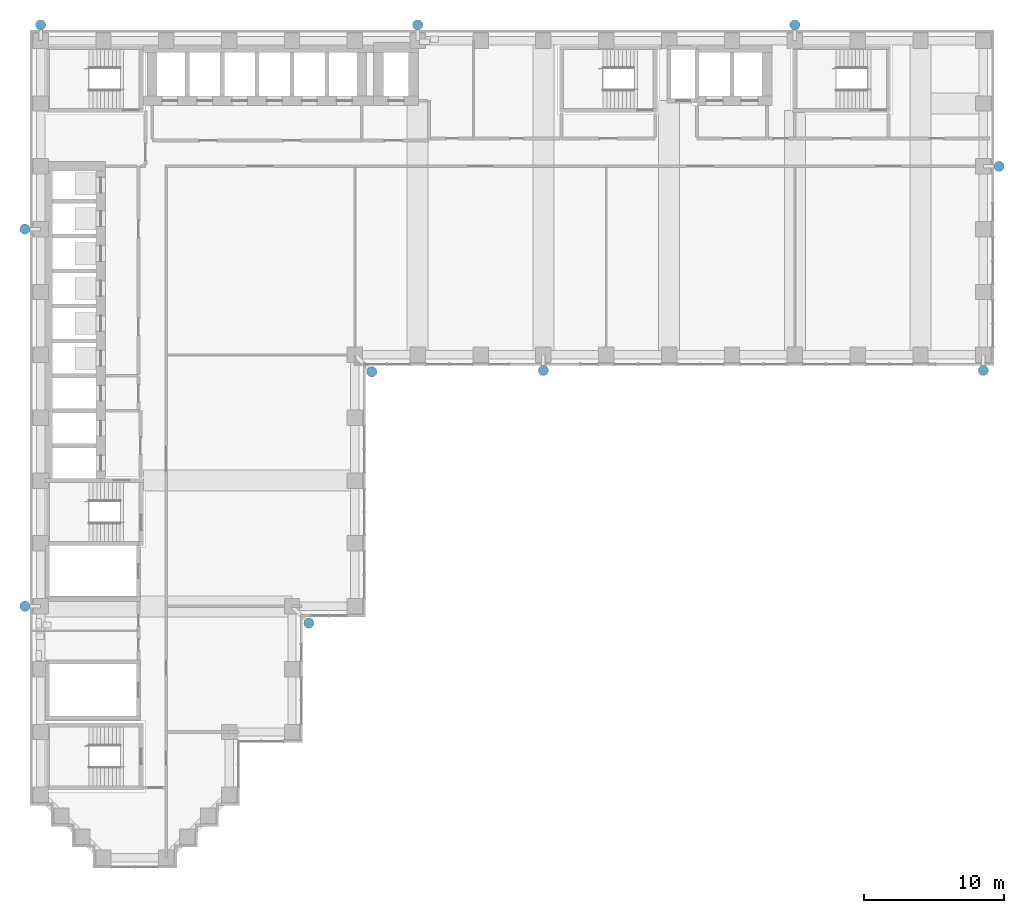
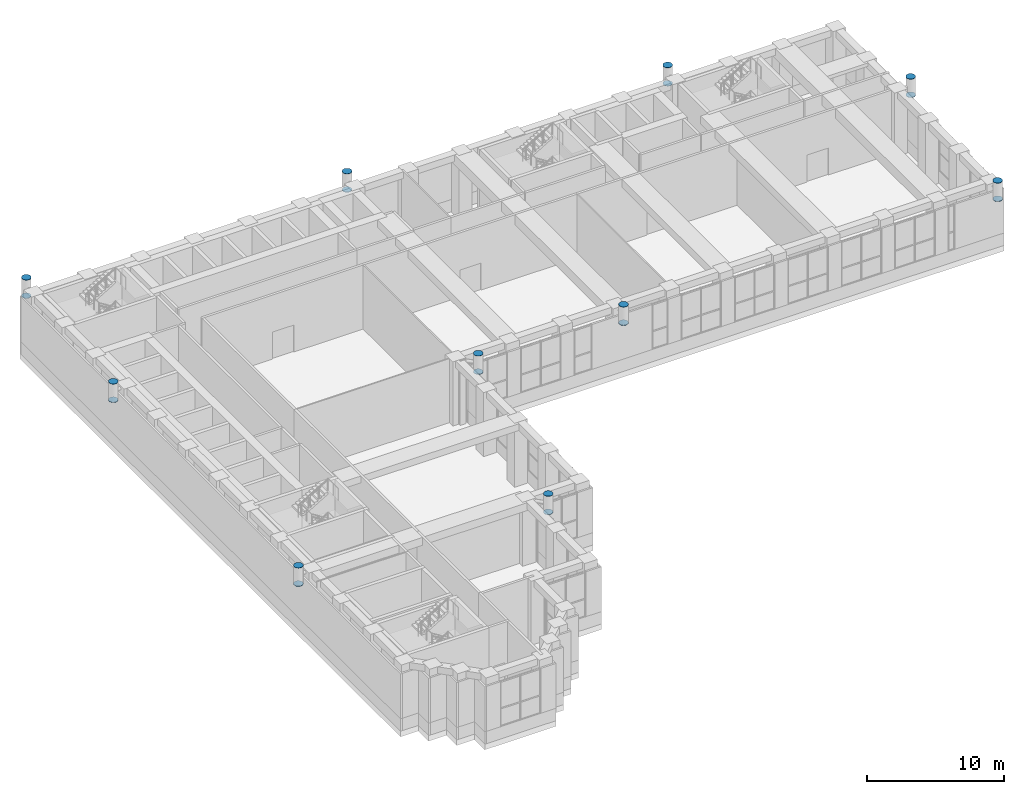
# One storey, part 18 of 22: 20 discrete accessories.
"""IFC4 building model written with IfcOpenShell, lengths in metres."""

from ifc_helpers import new_model, si_unit, direction, frame, origin, origin_2d, place, context, subcontext, project, spatial, circle, extrude, material, material_profile, profile_set, type_object, element, save


model = new_model("IFC4")

# Units and contexts
model_context = context("Model", 3, precision=1e-05, world=origin(), true_north=direction((0.0, 1.0)))
body_context = subcontext(model_context, "Body", "Model", "MODEL_VIEW")
ifc_project = project(units=[si_unit("LENGTHUNIT", "METRE"), si_unit("AREAUNIT", "SQUARE_METRE"), si_unit("VOLUMEUNIT", "CUBIC_METRE"), si_unit("PLANEANGLEUNIT", "RADIAN"), si_unit("MASSUNIT", "GRAM", prefix="KILO")], contexts=[model_context])

# Site, building, storey
site_placement = place(None, origin())
site = spatial("IfcSite", under=ifc_project, at=site_placement, CompositionType="ELEMENT")
building_placement = place(site_placement, origin())
building = spatial("IfcBuilding", under=site, at=building_placement, Name="Firuza Court", CompositionType="ELEMENT")
storey_placement = place(building_placement, frame((0.0, 0.0, 113.60009765625)))
storey = spatial("IfcBuildingStorey", under=building, at=storey_placement, Name="L28", CompositionType="ELEMENT", Elevation=113.60009765625)

# Discrete accessories
ifc_material = material(Name="Steel S355", Category="steel")
ifc_material_profile = material_profile(ifc_material, circle(Radius=0.35546875, at=origin_2d()), Name="PL D711")
ifc_profile_set = profile_set([ifc_material_profile], Name="Steel S355")
discrete_accessory_type = type_object("IfcDiscreteAccessoryType", Name="DIAGRID NODE END PLATE", PredefinedType="NOTDEFINED", material=ifc_profile_set)
discrete_accessory_1_placement = place(storey_placement, frame((-1.1201171875, 18.0, 6.25), z_axis=(0.0, 0.0, 1.0), x_axis=(1.0, 0.0, 0.0)))
element("IfcDiscreteAccessory", 1, at=discrete_accessory_1_placement, inside=storey, type_object=discrete_accessory_type, Name="Diagrid node end plate level L28", PredefinedType="NOTDEFINED", context=body_context, shape_type="SweptSolid", body=[
    extrude(circle(Radius=0.35546875, at=origin_2d()), origin(), (0.0, 0.0, 1.0), 0.02978515625),
])
discrete_accessory_2_placement = place(storey_placement, frame((-1.1201171875, 18.0, 4.619873046875), z_axis=(0.0, 0.0, 1.0), x_axis=(1.0, 0.0, 0.0)))
element("IfcDiscreteAccessory", 2, at=discrete_accessory_2_placement, inside=storey, type_object=discrete_accessory_type, Name="Diagrid node end plate level L28", PredefinedType="NOTDEFINED", context=body_context, shape_type="SweptSolid", body=[
    extrude(circle(Radius=0.35546875, at=origin_2d()), origin(), (0.0, 0.0, 1.0), 0.030029296875),
])
discrete_accessory_3_placement = place(storey_placement, frame((-1.1201171875, 45.0, 6.25), z_axis=(0.0, 0.0, 1.0), x_axis=(1.0, 0.0, 0.0)))
element("IfcDiscreteAccessory", 3, at=discrete_accessory_3_placement, inside=storey, type_object=discrete_accessory_type, Name="Diagrid node end plate level L28", PredefinedType="NOTDEFINED", context=body_context, shape_type="SweptSolid", body=[
    extrude(circle(Radius=0.35546875, at=origin_2d()), origin(), (0.0, 0.0, 1.0), 0.02978515625),
])
discrete_accessory_4_placement = place(storey_placement, frame((-1.1201171875, 45.0, 4.619873046875), z_axis=(0.0, 0.0, 1.0), x_axis=(1.0, 0.0, 0.0)))
element("IfcDiscreteAccessory", 4, at=discrete_accessory_4_placement, inside=storey, type_object=discrete_accessory_type, Name="Diagrid node end plate level L28", PredefinedType="NOTDEFINED", context=body_context, shape_type="SweptSolid", body=[
    extrude(circle(Radius=0.35546875, at=origin_2d()), origin(), (0.0, 0.0, 1.0), 0.030029296875),
])
discrete_accessory_5_placement = place(storey_placement, frame((0.0, 59.6201171875, 6.25), z_axis=(0.0, 0.0, 1.0), x_axis=(1.0, 0.0, 0.0)))
element("IfcDiscreteAccessory", 5, at=discrete_accessory_5_placement, inside=storey, type_object=discrete_accessory_type, Name="Diagrid node end plate level L28", PredefinedType="NOTDEFINED", context=body_context, shape_type="SweptSolid", body=[
    extrude(circle(Radius=0.35546875, at=origin_2d()), origin(), (0.0, 0.0, 1.0), 0.02978515625),
])
discrete_accessory_6_placement = place(storey_placement, frame((0.0, 59.6201171875, 4.619873046875), z_axis=(0.0, 0.0, 1.0), x_axis=(1.0, 0.0, 0.0)))
element("IfcDiscreteAccessory", 6, at=discrete_accessory_6_placement, inside=storey, type_object=discrete_accessory_type, Name="Diagrid node end plate level L28", PredefinedType="NOTDEFINED", context=body_context, shape_type="SweptSolid", body=[
    extrude(circle(Radius=0.35546875, at=origin_2d()), origin(), (0.0, 0.0, 1.0), 0.030029296875),
])
discrete_accessory_7_placement = place(storey_placement, frame((19.2099609375, 16.7900390625, 6.25), z_axis=(0.0, 0.0, 1.0), x_axis=(1.0, 0.0, 0.0)))
element("IfcDiscreteAccessory", 7, at=discrete_accessory_7_placement, inside=storey, type_object=discrete_accessory_type, Name="Diagrid node end plate level L28", PredefinedType="NOTDEFINED", context=body_context, shape_type="SweptSolid", body=[
    extrude(circle(Radius=0.35546875, at=origin_2d()), origin(), (0.0, 0.0, 1.0), 0.02978515625),
])
discrete_accessory_8_placement = place(storey_placement, frame((19.2099609375, 16.7900390625, 4.619873046875), z_axis=(0.0, 0.0, 1.0), x_axis=(1.0, 0.0, 0.0)))
element("IfcDiscreteAccessory", 8, at=discrete_accessory_8_placement, inside=storey, type_object=discrete_accessory_type, Name="Diagrid node end plate level L28", PredefinedType="NOTDEFINED", context=body_context, shape_type="SweptSolid", body=[
    extrude(circle(Radius=0.35546875, at=origin_2d()), origin(), (0.0, 0.0, 1.0), 0.030029296875),
])
discrete_accessory_9_placement = place(storey_placement, frame((23.7099609375, 34.7900390625, 6.25), z_axis=(0.0, 0.0, 1.0), x_axis=(1.0, 0.0, 0.0)))
element("IfcDiscreteAccessory", 9, at=discrete_accessory_9_placement, inside=storey, type_object=discrete_accessory_type, Name="Diagrid node end plate level L28", PredefinedType="NOTDEFINED", context=body_context, shape_type="SweptSolid", body=[
    extrude(circle(Radius=0.35546875, at=origin_2d()), origin(), (0.0, 0.0, 1.0), 0.02978515625),
])
discrete_accessory_10_placement = place(storey_placement, frame((23.7099609375, 34.7900390625, 4.619873046875), z_axis=(0.0, 0.0, 1.0), x_axis=(1.0, 0.0, 0.0)))
element("IfcDiscreteAccessory", 10, at=discrete_accessory_10_placement, inside=storey, type_object=discrete_accessory_type, Name="Diagrid node end plate level L28", PredefinedType="NOTDEFINED", context=body_context, shape_type="SweptSolid", body=[
    extrude(circle(Radius=0.35546875, at=origin_2d()), origin(), (0.0, 0.0, 1.0), 0.030029296875),
])
discrete_accessory_11_placement = place(storey_placement, frame((27.0, 59.6201171875, 6.25), z_axis=(0.0, 0.0, 1.0), x_axis=(1.0, 0.0, 0.0)))
element("IfcDiscreteAccessory", 11, at=discrete_accessory_11_placement, inside=storey, type_object=discrete_accessory_type, Name="Diagrid node end plate level L28", PredefinedType="NOTDEFINED", context=body_context, shape_type="SweptSolid", body=[
    extrude(circle(Radius=0.35546875, at=origin_2d()), origin(), (0.0, 0.0, 1.0), 0.02978515625),
])
discrete_accessory_12_placement = place(storey_placement, frame((27.0, 59.6201171875, 4.619873046875), z_axis=(0.0, 0.0, 1.0), x_axis=(1.0, 0.0, 0.0)))
element("IfcDiscreteAccessory", 12, at=discrete_accessory_12_placement, inside=storey, type_object=discrete_accessory_type, Name="Diagrid node end plate level L28", PredefinedType="NOTDEFINED", context=body_context, shape_type="SweptSolid", body=[
    extrude(circle(Radius=0.35546875, at=origin_2d()), origin(), (0.0, 0.0, 1.0), 0.030029296875),
])
discrete_accessory_13_placement = place(storey_placement, frame((36.0, 34.8798828125, 6.25), z_axis=(0.0, 0.0, 1.0), x_axis=(1.0, 0.0, 0.0)))
element("IfcDiscreteAccessory", 13, at=discrete_accessory_13_placement, inside=storey, type_object=discrete_accessory_type, Name="Diagrid node end plate level L28", PredefinedType="NOTDEFINED", context=body_context, shape_type="SweptSolid", body=[
    extrude(circle(Radius=0.35546875, at=origin_2d()), origin(), (0.0, 0.0, 1.0), 0.02978515625),
])
discrete_accessory_14_placement = place(storey_placement, frame((36.0, 34.8798828125, 4.619873046875), z_axis=(0.0, 0.0, 1.0), x_axis=(1.0, 0.0, 0.0)))
element("IfcDiscreteAccessory", 14, at=discrete_accessory_14_placement, inside=storey, type_object=discrete_accessory_type, Name="Diagrid node end plate level L28", PredefinedType="NOTDEFINED", context=body_context, shape_type="SweptSolid", body=[
    extrude(circle(Radius=0.35546875, at=origin_2d()), origin(), (0.0, 0.0, 1.0), 0.030029296875),
])
discrete_accessory_15_placement = place(storey_placement, frame((54.0, 59.6201171875, 6.25), z_axis=(0.0, 0.0, 1.0), x_axis=(1.0, 0.0, 0.0)))
element("IfcDiscreteAccessory", 15, at=discrete_accessory_15_placement, inside=storey, type_object=discrete_accessory_type, Name="Diagrid node end plate level L28", PredefinedType="NOTDEFINED", context=body_context, shape_type="SweptSolid", body=[
    extrude(circle(Radius=0.35546875, at=origin_2d()), origin(), (0.0, 0.0, 1.0), 0.02978515625),
])
discrete_accessory_16_placement = place(storey_placement, frame((54.0, 59.6201171875, 4.619873046875), z_axis=(0.0, 0.0, 1.0), x_axis=(1.0, 0.0, 0.0)))
element("IfcDiscreteAccessory", 16, at=discrete_accessory_16_placement, inside=storey, type_object=discrete_accessory_type, Name="Diagrid node end plate level L28", PredefinedType="NOTDEFINED", context=body_context, shape_type="SweptSolid", body=[
    extrude(circle(Radius=0.35546875, at=origin_2d()), origin(), (0.0, 0.0, 1.0), 0.030029296875),
])
discrete_accessory_17_placement = place(storey_placement, frame((67.5, 34.8798828125, 6.25), z_axis=(0.0, 0.0, 1.0), x_axis=(1.0, 0.0, 0.0)))
element("IfcDiscreteAccessory", 17, at=discrete_accessory_17_placement, inside=storey, type_object=discrete_accessory_type, Name="Diagrid node end plate level L28", PredefinedType="NOTDEFINED", context=body_context, shape_type="SweptSolid", body=[
    extrude(circle(Radius=0.35546875, at=origin_2d()), origin(), (0.0, 0.0, 1.0), 0.02978515625),
])
discrete_accessory_18_placement = place(storey_placement, frame((67.5, 34.8798828125, 4.619873046875), z_axis=(0.0, 0.0, 1.0), x_axis=(1.0, 0.0, 0.0)))
element("IfcDiscreteAccessory", 18, at=discrete_accessory_18_placement, inside=storey, type_object=discrete_accessory_type, Name="Diagrid node end plate level L28", PredefinedType="NOTDEFINED", context=body_context, shape_type="SweptSolid", body=[
    extrude(circle(Radius=0.35546875, at=origin_2d()), origin(), (0.0, 0.0, 1.0), 0.030029296875),
])
discrete_accessory_19_placement = place(storey_placement, frame((68.6201171875, 49.5, 6.25), z_axis=(0.0, 0.0, 1.0), x_axis=(1.0, 0.0, 0.0)))
element("IfcDiscreteAccessory", 19, at=discrete_accessory_19_placement, inside=storey, type_object=discrete_accessory_type, Name="Diagrid node end plate level L28", PredefinedType="NOTDEFINED", context=body_context, shape_type="SweptSolid", body=[
    extrude(circle(Radius=0.35546875, at=origin_2d()), origin(), (0.0, 0.0, 1.0), 0.02978515625),
])
discrete_accessory_20_placement = place(storey_placement, frame((68.6201171875, 49.5, 4.619873046875), z_axis=(0.0, 0.0, 1.0), x_axis=(1.0, 0.0, 0.0)))
element("IfcDiscreteAccessory", 20, at=discrete_accessory_20_placement, inside=storey, type_object=discrete_accessory_type, Name="Diagrid node end plate level L28", PredefinedType="NOTDEFINED", context=body_context, shape_type="SweptSolid", body=[
    extrude(circle(Radius=0.35546875, at=origin_2d()), origin(), (0.0, 0.0, 1.0), 0.030029296875),
])

save(model, "model.ifc")
